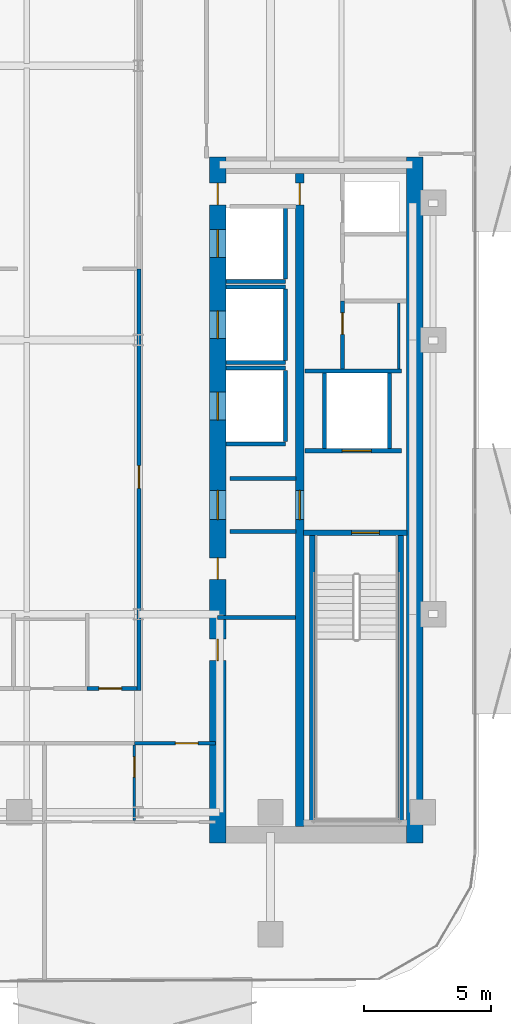
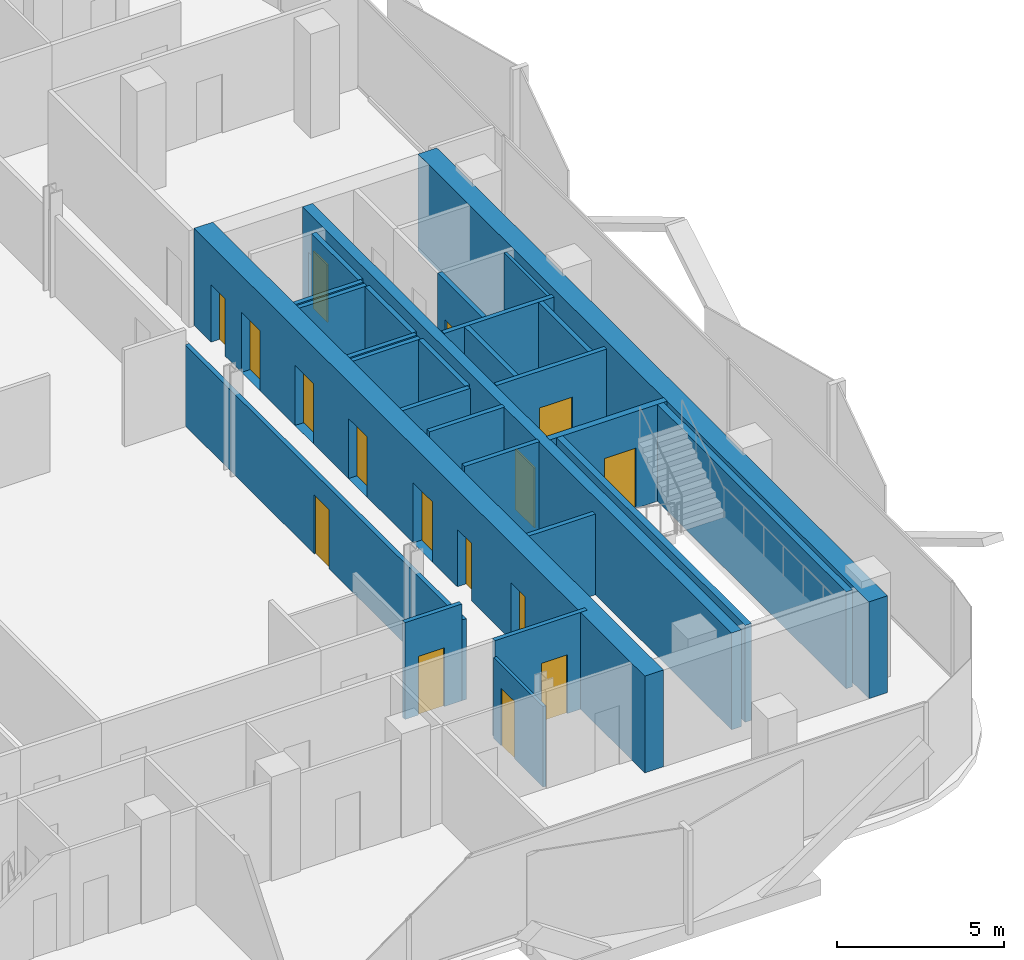
# One storey, part 5 of 17: 27 walls, 16 doors, 16 openings.
"""IFC4 building model written with IfcOpenShell, lengths in metres."""

from ifc_helpers import new_model, si_unit, direction, frame, frame_2d, origin, place, context, subcontext, project, spatial, rectangle, extrude, material, layer, layer_set, type_object, element, fill, save


model = new_model("IFC4")

# Units and contexts
model_context = context("Model", 3, precision=1e-05, world=origin(), true_north=direction((0.0, 1.0)))
body_context = subcontext(model_context, "Body", "Model", "MODEL_VIEW")
ifc_project = project(units=[si_unit("LENGTHUNIT", "METRE"), si_unit("AREAUNIT", "SQUARE_METRE"), si_unit("VOLUMEUNIT", "CUBIC_METRE"), si_unit("PLANEANGLEUNIT", "RADIAN"), si_unit("MASSUNIT", "GRAM", prefix="KILO")], contexts=[model_context])

# Site, building, storey
site_placement = place(None, origin())
site = spatial("IfcSite", under=ifc_project, at=site_placement, CompositionType="ELEMENT")
building_placement = place(site_placement, origin())
building = spatial("IfcBuilding", under=site, at=building_placement, Name="Khairoan Windgate Tower", CompositionType="ELEMENT")
storey_placement = place(building_placement, frame((0.0, 0.0, 191.60009765625)))
storey = spatial("IfcBuildingStorey", under=building, at=storey_placement, Name="L44", CompositionType="ELEMENT", Elevation=191.60009765625)

# Wall, opening, door
ifc_material_1 = material(Name="Moisture-Resistant Gypsum Partition", Category="gypsum")
ifc_layer_1 = layer(ifc_material_1, 0.10009765625, Name="Moisture-Resistant Gypsum Partition")
ifc_layer_set_1 = layer_set([ifc_layer_1], Name="Moisture-Resistant Gypsum Partition")
wall_type_1 = type_object("IfcWallType", Name="Bathroom Wet-Area Partition Wall", PredefinedType="PARTITIONING", material=ifc_layer_set_1)
wall_1_placement = place(storey_placement, frame((9.0400390625, -18.919921875, 0.0), z_axis=(0.0, 0.0, 1.0), x_axis=(0.0, 1.0, 0.0)))
wall_1 = element("IfcWall", 1, at=wall_1_placement, inside=storey, type_object=wall_type_1, Name="L44 Interior Partition 092", PredefinedType="PARTITIONING", context=body_context, shape_type="SweptSolid", body=[
    extrude(rectangle(XDim=2.96484375, YDim=0.10009765625, at=frame_2d((1.482421875, 0.0))), origin(), (0.0, 0.0, 1.0), 2.951904296875),
])
opening_1_placement = place(wall_1_placement, frame((1.705078125, 0.0, 0.0)))
opening_1 = element("IfcOpeningElement", 2, at=opening_1_placement, cuts=wall_1, Name="Opening ID-BTH", PredefinedType="OPENING", context=body_context, shape_type="SweptSolid", body=[
    extrude(rectangle(XDim=0.800048828125, YDim=2.10009765625, at=frame_2d((0.39990234375, 1.050048828125))), frame((0.0, 0.06005859375, 0.0), z_axis=(0.0, -1.0, 0.0), x_axis=(1.0, 0.0, 0.0)), (0.0, 0.0, 1.0), 0.1201171875),
])
ifc_material_2 = material(Name="Teak Veneer Timber Leaf", Category="wood")
door_type_1 = type_object("IfcDoorType", Name="Internal Bathroom Door ID-BTH 800x2100", OperationType="NOTDEFINED", PredefinedType="DOOR", material=ifc_material_2)
door_1_placement = place(opening_1_placement, origin())
door_1 = element("IfcDoor", 3, at=door_1_placement, inside=storey, type_object=door_type_1, Name="L44 L44-63-L44-64 Door", OperationType="SINGLE_SWING_RIGHT", OverallHeight=2.10009765625, OverallWidth=0.800048828125, PredefinedType="DOOR", context=body_context, shape_type="SweptSolid", body=[
    extrude(rectangle(XDim=0.800048828125, YDim=2.10009765625, at=frame_2d((0.39990234375, 1.050048828125))), frame((0.0, 0.02490234375, 0.0), z_axis=(0.0, -1.0, 0.0), x_axis=(1.0, 0.0, 0.0)), (0.0, 0.0, 1.0), 0.050048828125),
])
fill(opening_1, door_1)

# Walls
wall_2_placement = place(storey_placement, frame((19.449951171875, 1.449951171875, 0.0), z_axis=(0.0, 0.0, 1.0), x_axis=(0.0, -1.0, 0.0)))
element("IfcWall", 4, at=wall_2_placement, inside=storey, type_object=wall_type_1, Name="L44 Wet Room Side Wall 096", PredefinedType="PARTITIONING", context=body_context, shape_type="SweptSolid", body=[
    extrude(rectangle(XDim=2.58984375, YDim=0.10009765625, at=frame_2d((1.294921875, 0.0))), origin(), (0.0, 0.0, 1.0), 3.539794921875),
])
ifc_material_3 = material(Name="Concrete C40/50", Category="concrete")
ifc_layer_2 = layer(ifc_material_3, 0.159912109375, Name="Concrete C40/50")
ifc_layer_set_2 = layer_set([ifc_layer_2], Name="Concrete C40/50")
wall_type_2 = type_object("IfcWallType", Name="Core and Hoistway Enclosure Wall", PredefinedType="STANDARD", material=ifc_layer_set_2)
wall_3_placement = place(storey_placement, frame((12.64990234375, 2.31005859375, 0.0), z_axis=(0.0, 0.0, 1.0), x_axis=(1.0, 0.0, 0.0)))
element("IfcWall", 5, at=wall_3_placement, inside=storey, type_object=wall_type_2, Name="L44 Lift PL7 Hoistway Divider S", PredefinedType="STANDARD", context=body_context, shape_type="SweptSolid", body=[
    extrude(rectangle(XDim=2.340087890625, YDim=0.159912109375, at=frame_2d((1.169921875, 0.0))), origin(), (0.0, 0.0, 1.0), 3.539794921875),
])
wall_4_placement = place(storey_placement, frame((14.989990234375, 2.39990234375, 0.0), z_axis=(0.0, 0.0, 1.0), x_axis=(0.0, 1.0, 0.0)))
element("IfcWall", 6, at=wall_4_placement, inside=storey, type_object=wall_type_2, Name="L44 Lift PL7 Hoistway Back Wall", PredefinedType="STANDARD", context=body_context, shape_type="SweptSolid", body=[
    extrude(rectangle(XDim=2.800048828125, YDim=0.159912109375, at=frame_2d((1.39990234375, 0.0))), origin(), (0.0, 0.0, 1.0), 3.539794921875),
])
for number, where, z_axis, x_axis, name in (
    (7, (12.64990234375, -0.889892578125, 0.0), (0.0, 0.0, 1.0), (1.0, 0.0, 0.0), "L44 Lift PL8 Hoistway Divider S"),
    (8, (12.64990234375, 2.090087890625, 0.0), (0.0, 0.0, 1.0), (1.0, 0.0, 0.0), "L44 Lift PL8 Hoistway Divider N"),
):
    element("IfcWall", number, at=place(storey_placement, frame(where, z_axis=z_axis, x_axis=x_axis)), inside=storey, type_object=wall_type_2, Name=name, PredefinedType="STANDARD", context=body_context, shape_type="SweptSolid", body=[
        extrude(rectangle(XDim=2.340087890625, YDim=0.159912109375, at=frame_2d((1.169921875, 0.0))), origin(), (0.0, 0.0, 1.0), 3.539794921875),
    ])
wall_5_placement = place(storey_placement, frame((14.989990234375, -0.800048828125, 0.0), z_axis=(0.0, 0.0, 1.0), x_axis=(0.0, 1.0, 0.0)))
element("IfcWall", 9, at=wall_5_placement, inside=storey, type_object=wall_type_2, Name="L44 Lift PL8 Hoistway Back Wall", PredefinedType="STANDARD", context=body_context, shape_type="SweptSolid", body=[
    extrude(rectangle(XDim=2.800048828125, YDim=0.159912109375, at=frame_2d((1.39990234375, 0.0))), origin(), (0.0, 0.0, 1.0), 3.539794921875),
])
for number, where, z_axis, x_axis, name in (
    (10, (12.64990234375, -4.090087890625, 0.0), (0.0, 0.0, 1.0), (1.0, 0.0, 0.0), "L44 Lift PL9 Hoistway Divider S"),
    (11, (12.64990234375, -1.110107421875, 0.0), (0.0, 0.0, 1.0), (1.0, 0.0, 0.0), "L44 Lift PL9 Hoistway Divider N"),
):
    element("IfcWall", number, at=place(storey_placement, frame(where, z_axis=z_axis, x_axis=x_axis)), inside=storey, type_object=wall_type_2, Name=name, PredefinedType="STANDARD", context=body_context, shape_type="SweptSolid", body=[
        extrude(rectangle(XDim=2.340087890625, YDim=0.159912109375, at=frame_2d((1.169921875, 0.0))), origin(), (0.0, 0.0, 1.0), 3.539794921875),
    ])
wall_6_placement = place(storey_placement, frame((14.989990234375, -4.0, 0.0), z_axis=(0.0, 0.0, 1.0), x_axis=(0.0, 1.0, 0.0)))
element("IfcWall", 12, at=wall_6_placement, inside=storey, type_object=wall_type_2, Name="L44 Lift PL9 Hoistway Back Wall", PredefinedType="STANDARD", context=body_context, shape_type="SweptSolid", body=[
    extrude(rectangle(XDim=2.800048828125, YDim=0.159912109375, at=frame_2d((1.39990234375, 0.0))), origin(), (0.0, 0.0, 1.0), 3.539794921875),
])

# Wall, opening, door
wall_7_placement = place(storey_placement, frame((15.75, -4.360107421875, 0.0), z_axis=(0.0, 0.0, 1.0), x_axis=(1.0, 0.0, 0.0)))
wall_7 = element("IfcWall", 13, at=wall_7_placement, inside=storey, type_object=wall_type_2, Name="L44 Core Shaft Wall SW-FL1-L44", PredefinedType="STANDARD", context=body_context, shape_type="SweptSolid", body=[
    extrude(rectangle(XDim=3.800048828125, YDim=0.159912109375, at=frame_2d((1.89990234375, 0.0))), origin(), (0.0, 0.0, 1.0), 3.539794921875),
])
opening_2_placement = place(wall_7_placement, frame((1.469970703125, 0.0, 0.0)))
opening_2 = element("IfcOpeningElement", 14, at=opening_2_placement, cuts=wall_7, Name="Opening LD-FL", PredefinedType="OPENING", context=body_context, shape_type="SweptSolid", body=[
    extrude(rectangle(XDim=1.14990234375, YDim=2.199951171875, at=frame_2d((0.574951171875, 1.10009765625))), frame((0.0, 0.08984375, 0.0), z_axis=(0.0, -1.0, 0.0), x_axis=(1.0, 0.0, 0.0)), (0.0, 0.0, 1.0), 0.179931640625),
])
ifc_material_4 = material(Name="Steel S355", Category="steel")
door_type_2 = type_object("IfcDoorType", Name="Firefighting Lift Sliding Landing Door LD-FL 1150x2200", OperationType="DOUBLE_DOOR_SLIDING", PredefinedType="DOOR", material=ifc_material_4)
door_2_placement = place(opening_2_placement, origin())
door_2 = element("IfcDoor", 15, at=door_2_placement, inside=storey, type_object=door_type_2, Name="L44 Firefighting Lift FL1 Landing Door", OperationType="DOUBLE_DOOR_SLIDING", OverallHeight=2.199951171875, OverallWidth=1.14990234375, PredefinedType="DOOR", context=body_context, shape_type="SweptSolid", body=[
    extrude(rectangle(XDim=1.14990234375, YDim=2.199951171875, at=frame_2d((0.574951171875, 1.10009765625))), frame((0.0, 0.02490234375, 0.0), z_axis=(0.0, -1.0, 0.0), x_axis=(1.0, 0.0, 0.0)), (0.0, 0.0, 1.0), 0.050048828125),
])
fill(opening_2, door_2)

# Walls
wall_8_placement = place(storey_placement, frame((15.75, -1.219970703125, 0.0), z_axis=(0.0, 0.0, 1.0), x_axis=(1.0, 0.0, 0.0)))
element("IfcWall", 16, at=wall_8_placement, inside=storey, type_object=wall_type_2, Name="L44 Core Shaft Wall SW-FL1T-L44", PredefinedType="STANDARD", context=body_context, shape_type="SweptSolid", body=[
    extrude(rectangle(XDim=3.800048828125, YDim=0.159912109375, at=frame_2d((1.89990234375, 0.0))), origin(), (0.0, 0.0, 1.0), 3.539794921875),
])
for number, where, z_axis, x_axis, name in (
    (17, (16.52001953125, -4.280029296875, 0.0), (0.0, 0.0, 1.0), (0.0, 1.0, 0.0), "L44 Core Shaft Wall SW-FL1W-L44"),
    (18, (19.080078125, -4.280029296875, 0.0), (0.0, 0.0, 1.0), (0.0, 1.0, 0.0), "L44 Core Shaft Wall SW-FL1E-L44"),
):
    element("IfcWall", number, at=place(storey_placement, frame(where, z_axis=z_axis, x_axis=x_axis)), inside=storey, type_object=wall_type_2, Name=name, PredefinedType="STANDARD", context=body_context, shape_type="SweptSolid", body=[
        extrude(rectangle(XDim=2.97998046875, YDim=0.159912109375, at=frame_2d((1.489990234375, 0.0))), origin(), (0.0, 0.0, 1.0), 3.539794921875),
    ])
for number, where, z_axis, x_axis, name in (
    (19, (12.800048828125, -5.449951171875, 0.0), (0.0, 0.0, 1.0), (1.0, 0.0, 0.0), "L44 Core Shaft Wall SW-EV1-L44"),
    (20, (12.800048828125, -7.5400390625, 0.0), (0.0, 0.0, 1.0), (1.0, 0.0, 0.0), "L44 Core Shaft Wall SW-EV2-L44"),
):
    element("IfcWall", number, at=place(storey_placement, frame(where, z_axis=z_axis, x_axis=x_axis)), inside=storey, type_object=wall_type_2, Name=name, PredefinedType="STANDARD", context=body_context, shape_type="SweptSolid", body=[
        extrude(rectangle(XDim=2.599853515625, YDim=0.159912109375, at=frame_2d((1.2998046875, 0.0))), origin(), (0.0, 0.0, 1.0), 3.539794921875),
    ])

# Wall, opening, door
ifc_material_5 = material(Name="Concrete C40/50", Category="concrete")
ifc_layer_3 = layer(ifc_material_5, 0.159912109375, Name="Concrete C40/50")
ifc_layer_set_3 = layer_set([ifc_layer_3], Name="Concrete C40/50")
wall_type_3 = type_object("IfcWallType", Name="Plant and Refuge Compartment Wall", PredefinedType="PARTITIONING", material=ifc_layer_set_3)
wall_9_placement = place(storey_placement, frame((17.22998046875, -1.139892578125, 0.0), z_axis=(0.0, 0.0, 1.0), x_axis=(0.0, 1.0, 0.0)))
wall_9 = element("IfcWall", 21, at=wall_9_placement, inside=storey, type_object=wall_type_3, Name="L44 Interior Partition 006", PredefinedType="PARTITIONING", context=body_context, shape_type="SweptSolid", body=[
    extrude(rectangle(XDim=2.669921875, YDim=0.159912109375, at=frame_2d((1.3349609375, 0.0))), origin(), (0.0, 0.0, 1.0), 3.539794921875),
])
opening_3_placement = place(wall_9_placement, frame((1.360107421875, 0.0, 0.0)))
opening_3 = element("IfcOpeningElement", 22, at=opening_3_placement, cuts=wall_9, Name="Opening FD-SRV", PredefinedType="OPENING", context=body_context, shape_type="SweptSolid", body=[
    extrude(rectangle(XDim=0.85009765625, YDim=2.10009765625, at=frame_2d((0.425048828125, 1.050048828125))), frame((0.0, 0.08984375, 0.0), z_axis=(0.0, -1.0, 0.0), x_axis=(1.0, 0.0, 0.0)), (0.0, 0.0, 1.0), 0.179931640625),
])
ifc_material_6 = material(Name="Steel S355", Category="steel")
door_type_3 = type_object("IfcDoorType", Name="Core Service and Riser Fire Door FD-SRV 850x2100", OperationType="NOTDEFINED", PredefinedType="DOOR", material=ifc_material_6)
door_3_placement = place(opening_3_placement, origin())
door_3 = element("IfcDoor", 23, at=door_3_placement, inside=storey, type_object=door_type_3, Name="L44 L44-17-L44-19 Door", OperationType="SINGLE_SWING_RIGHT", OverallHeight=2.10009765625, OverallWidth=0.85009765625, PredefinedType="DOOR", context=body_context, shape_type="SweptSolid", body=[
    extrude(rectangle(XDim=0.85009765625, YDim=2.10009765625, at=frame_2d((0.425048828125, 1.050048828125))), frame((0.0, 0.02490234375, 0.0), z_axis=(0.0, -1.0, 0.0), x_axis=(1.0, 0.0, 0.0)), (0.0, 0.0, 1.0), 0.050048828125),
])
fill(opening_3, door_3)

# Wall
wall_10_placement = place(storey_placement, frame((12.31005859375, -10.919921875, 0.0), z_axis=(0.0, 0.0, 1.0), x_axis=(1.0, 0.0, 0.0)))
element("IfcWall", 24, at=wall_10_placement, inside=storey, type_object=wall_type_3, Name="L44 Interior Partition 010", PredefinedType="PARTITIONING", context=body_context, shape_type="SweptSolid", body=[
    extrude(rectangle(XDim=3.06494140625, YDim=0.159912109375, at=frame_2d((1.532470703125, 0.0))), origin(), (0.0, 0.0, 1.0), 2.951904296875),
])

# Wall, opening, door
ifc_material_7 = material(Name="Acoustic Fire-Rated Gypsum Partition", Category="gypsum")
ifc_layer_4 = layer(ifc_material_7, 0.14990234375, Name="Acoustic Fire-Rated Gypsum Partition")
ifc_layer_set_4 = layer_set([ifc_layer_4], Name="Acoustic Fire-Rated Gypsum Partition")
wall_type_4 = type_object("IfcWallType", Name="Rated Corridor Partition Wall", PredefinedType="PARTITIONING", material=ifc_layer_set_4)
wall_11_placement = place(storey_placement, frame((9.219970703125, -13.794921875, 0.0), z_axis=(0.0, 0.0, 1.0), x_axis=(0.0, 1.0, 0.0)))
wall_11 = element("IfcWall", 25, at=wall_11_placement, inside=storey, type_object=wall_type_4, Name="L44 Interior Partition 013", PredefinedType="PARTITIONING", context=body_context, shape_type="SweptSolid", body=[
    extrude(rectangle(XDim=16.594970703125, YDim=0.14990234375, at=frame_2d((8.29736328125, 0.0))), origin(), (0.0, 0.0, 1.0), 2.951904296875),
])
opening_4_placement = place(wall_11_placement, frame((7.94873046875, 0.0, 0.0)))
opening_4 = element("IfcOpeningElement", 26, at=opening_4_placement, cuts=wall_11, Name="Opening FD-ENT", PredefinedType="OPENING", context=body_context, shape_type="SweptSolid", body=[
    extrude(rectangle(XDim=0.89990234375, YDim=2.14990234375, at=frame_2d((0.449951171875, 1.074951171875))), frame((0.0, 0.0849609375, 0.0), z_axis=(0.0, -1.0, 0.0), x_axis=(1.0, 0.0, 0.0)), (0.0, 0.0, 1.0), 0.169921875),
])
ifc_material_8 = material(Name="Timber Fire-Rated Core", Category="wood")
door_type_4 = type_object("IfcDoorType", Name="Unit and Office Fire Entrance Door FD-ENT 900x2150", OperationType="NOTDEFINED", PredefinedType="DOOR", material=ifc_material_8)
door_4_placement = place(opening_4_placement, origin())
door_4 = element("IfcDoor", 27, at=door_4_placement, inside=storey, type_object=door_type_4, Name="L44 L44-29-L44-36 Door", OperationType="SINGLE_SWING_RIGHT", OverallHeight=2.14990234375, OverallWidth=0.89990234375, PredefinedType="DOOR", context=body_context, shape_type="SweptSolid", body=[
    extrude(rectangle(XDim=0.89990234375, YDim=2.14990234375, at=frame_2d((0.449951171875, 1.074951171875))), frame((0.0, 0.02490234375, 0.0), z_axis=(0.0, -1.0, 0.0), x_axis=(1.0, 0.0, 0.0)), (0.0, 0.0, 1.0), 0.050048828125),
])
fill(opening_4, door_4)

wall_12_placement = place(storey_placement, frame((7.179931640625, -13.719970703125, 0.0), z_axis=(0.0, 0.0, 1.0), x_axis=(1.0, 0.0, 0.0)))
wall_12 = element("IfcWall", 28, at=wall_12_placement, inside=storey, type_object=wall_type_4, Name="L44 Interior Partition 034", PredefinedType="PARTITIONING", context=body_context, shape_type="SweptSolid", body=[
    extrude(rectangle(XDim=1.965087890625, YDim=0.14990234375, at=frame_2d((0.982421875, 0.0))), origin(), (0.0, 0.0, 1.0), 3.539794921875),
])
opening_5_placement = place(wall_12_placement, frame((0.4599609375, 0.0, 0.0)))
opening_5 = element("IfcOpeningElement", 29, at=opening_5_placement, cuts=wall_12, Name="Opening FD-ENT", PredefinedType="OPENING", context=body_context, shape_type="SweptSolid", body=[
    extrude(rectangle(XDim=0.89990234375, YDim=2.14990234375, at=frame_2d((0.449951171875, 1.074951171875))), frame((0.0, 0.0849609375, 0.0), z_axis=(0.0, -1.0, 0.0), x_axis=(1.0, 0.0, 0.0)), (0.0, 0.0, 1.0), 0.169921875),
])
door_5_placement = place(opening_5_placement, origin())
door_5 = element("IfcDoor", 30, at=door_5_placement, inside=storey, type_object=door_type_4, Name="L44 L44-31-L44-36 Door", OperationType="SINGLE_SWING_RIGHT", OverallHeight=2.14990234375, OverallWidth=0.89990234375, PredefinedType="DOOR", context=body_context, shape_type="SweptSolid", body=[
    extrude(rectangle(XDim=0.89990234375, YDim=2.14990234375, at=frame_2d((0.449951171875, 1.074951171875))), frame((0.0, 0.02490234375, 0.0), z_axis=(0.0, -1.0, 0.0), x_axis=(1.0, 0.0, 0.0)), (0.0, 0.0, 1.0), 0.050048828125),
])
fill(opening_5, door_5)

wall_13_placement = place(storey_placement, frame((9.0400390625, -15.8798828125, 0.0), z_axis=(0.0, 0.0, 1.0), x_axis=(1.0, 0.0, 0.0)))
wall_13 = element("IfcWall", 31, at=wall_13_placement, inside=storey, type_object=wall_type_4, Name="L44 Interior Partition 042", PredefinedType="PARTITIONING", context=body_context, shape_type="SweptSolid", body=[
    extrude(rectangle(XDim=3.199951171875, YDim=0.14990234375, at=frame_2d((1.60009765625, 0.0))), origin(), (0.0, 0.0, 1.0), 3.539794921875),
])
opening_6_placement = place(wall_13_placement, frame((1.610107421875, 0.0, 0.0)))
opening_6 = element("IfcOpeningElement", 32, at=opening_6_placement, cuts=wall_13, Name="Opening FD-ENT", PredefinedType="OPENING", context=body_context, shape_type="SweptSolid", body=[
    extrude(rectangle(XDim=0.89990234375, YDim=2.14990234375, at=frame_2d((0.449951171875, 1.074951171875))), frame((0.0, 0.0849609375, 0.0), z_axis=(0.0, -1.0, 0.0), x_axis=(1.0, 0.0, 0.0)), (0.0, 0.0, 1.0), 0.169921875),
])
door_6_placement = place(opening_6_placement, origin())
door_6 = element("IfcDoor", 33, at=door_6_placement, inside=storey, type_object=door_type_4, Name="L44 L44-31-L44-64 Door", OperationType="SINGLE_SWING_RIGHT", OverallHeight=2.14990234375, OverallWidth=0.89990234375, PredefinedType="DOOR", context=body_context, shape_type="SweptSolid", body=[
    extrude(rectangle(XDim=0.89990234375, YDim=2.14990234375, at=frame_2d((0.449951171875, 1.074951171875))), frame((0.0, 0.02490234375, 0.0), z_axis=(0.0, -1.0, 0.0), x_axis=(1.0, 0.0, 0.0)), (0.0, 0.0, 1.0), 0.050048828125),
])
fill(opening_6, door_6)

# Wall, openings, doors
ifc_material_9 = material(Name="Concrete C60/75", Category="concrete")
ifc_layer_5 = layer(ifc_material_9, 0.64990234375, Name="Concrete C60/75")
ifc_layer_set_5 = layer_set([ifc_layer_5], Name="Concrete C60/75")
wall_type_5 = type_object("IfcWallType", Name="Shear Wall CW-E2 650mm", PredefinedType="SHEAR", material=ifc_layer_set_5)
wall_14_placement = place(storey_placement, frame((12.324951171875, -19.800048828125, 0.0), z_axis=(0.0, 0.0, 1.0), x_axis=(0.0, 1.0, 0.0)))
wall_14 = element("IfcWall", 34, at=wall_14_placement, inside=storey, type_object=wall_type_5, Name="E Core West Shear Wall L44", PredefinedType="SHEAR", context=body_context, shape_type="SweptSolid", body=[
    extrude(rectangle(XDim=27.0, YDim=0.64990234375, at=frame_2d((13.5, 0.0))), origin(), (0.0, 0.0, 1.0), 3.539794921875),
])
opening_7_placement = place(wall_14_placement, frame((23.050048828125, 0.0, 0.0)))
opening_7 = element("IfcOpeningElement", 35, at=opening_7_placement, cuts=wall_14, Name="Opening LD-PL", PredefinedType="OPENING", context=body_context, shape_type="SweptSolid", body=[
    extrude(rectangle(XDim=1.10009765625, YDim=2.199951171875, at=frame_2d((0.550048828125, 1.10009765625))), frame((0.0, 0.3349609375, 0.0), z_axis=(0.0, -1.0, 0.0), x_axis=(1.0, 0.0, 0.0)), (0.0, 0.0, 1.0), 0.669921875),
])
opening_8_placement = place(wall_14_placement, frame((19.85009765625, 0.0, 0.0)))
opening_8 = element("IfcOpeningElement", 36, at=opening_8_placement, cuts=wall_14, Name="Opening LD-PL", PredefinedType="OPENING", context=body_context, shape_type="SweptSolid", body=[
    extrude(rectangle(XDim=1.10009765625, YDim=2.199951171875, at=frame_2d((0.550048828125, 1.10009765625))), frame((0.0, 0.3349609375, 0.0), z_axis=(0.0, -1.0, 0.0), x_axis=(1.0, 0.0, 0.0)), (0.0, 0.0, 1.0), 0.669921875),
])
opening_9_placement = place(wall_14_placement, frame((16.64990234375, 0.0, 0.0)))
opening_9 = element("IfcOpeningElement", 37, at=opening_9_placement, cuts=wall_14, Name="Opening LD-PL", PredefinedType="OPENING", context=body_context, shape_type="SweptSolid", body=[
    extrude(rectangle(XDim=1.10009765625, YDim=2.199951171875, at=frame_2d((0.550048828125, 1.10009765625))), frame((0.0, 0.3349609375, 0.0), z_axis=(0.0, -1.0, 0.0), x_axis=(1.0, 0.0, 0.0)), (0.0, 0.0, 1.0), 0.669921875),
])
opening_10_placement = place(wall_14_placement, frame((7.175048828125, 0.0, 0.0)))
opening_10 = element("IfcOpeningElement", 38, at=opening_10_placement, cuts=wall_14, Name="Opening FD-SRV", PredefinedType="OPENING", context=body_context, shape_type="SweptSolid", body=[
    extrude(rectangle(XDim=0.85009765625, YDim=2.10009765625, at=frame_2d((0.425048828125, 1.050048828125))), frame((0.0, 0.3349609375, 0.0), z_axis=(0.0, -1.0, 0.0), x_axis=(1.0, 0.0, 0.0)), (0.0, 0.0, 1.0), 0.669921875),
])
opening_11_placement = place(wall_14_placement, frame((10.375, 0.0, 0.0)))
opening_11 = element("IfcOpeningElement", 39, at=opening_11_placement, cuts=wall_14, Name="Opening FD-SRV", PredefinedType="OPENING", context=body_context, shape_type="SweptSolid", body=[
    extrude(rectangle(XDim=0.85009765625, YDim=2.10009765625, at=frame_2d((0.425048828125, 1.050048828125))), frame((0.0, 0.3349609375, 0.0), z_axis=(0.0, -1.0, 0.0), x_axis=(1.0, 0.0, 0.0)), (0.0, 0.0, 1.0), 0.669921875),
])
opening_12_placement = place(wall_14_placement, frame((12.72509765625, 0.0, 0.0)))
opening_12 = element("IfcOpeningElement", 40, at=opening_12_placement, cuts=wall_14, Name="Opening FD-FFL", PredefinedType="OPENING", context=body_context, shape_type="SweptSolid", body=[
    extrude(rectangle(XDim=1.14990234375, YDim=2.199951171875, at=frame_2d((0.574951171875, 1.10009765625))), frame((0.0, 0.3349609375, 0.0), z_axis=(0.0, -1.0, 0.0), x_axis=(1.0, 0.0, 0.0)), (0.0, 0.0, 1.0), 0.669921875),
])
opening_13_placement = place(wall_14_placement, frame((25.125, 0.0, 0.0)))
opening_13 = element("IfcOpeningElement", 41, at=opening_13_placement, cuts=wall_14, Name="Opening FD-SRV", PredefinedType="OPENING", context=body_context, shape_type="SweptSolid", body=[
    extrude(rectangle(XDim=0.85009765625, YDim=2.10009765625, at=frame_2d((0.425048828125, 1.050048828125))), frame((0.0, 0.3349609375, 0.0), z_axis=(0.0, -1.0, 0.0), x_axis=(1.0, 0.0, 0.0)), (0.0, 0.0, 1.0), 0.669921875),
])
door_7_placement = place(opening_10_placement, origin())
door_7 = element("IfcDoor", 42, at=door_7_placement, inside=storey, type_object=door_type_3, Name="L44 East Core Service Room Door 1", OperationType="SINGLE_SWING_LEFT", OverallHeight=2.10009765625, OverallWidth=0.85009765625, PredefinedType="DOOR", context=body_context, shape_type="SweptSolid", body=[
    extrude(rectangle(XDim=0.85009765625, YDim=2.10009765625, at=frame_2d((0.425048828125, 1.050048828125))), frame((0.0, 0.02490234375, 0.0), z_axis=(0.0, -1.0, 0.0), x_axis=(1.0, 0.0, 0.0)), (0.0, 0.0, 1.0), 0.050048828125),
])
fill(opening_10, door_7)
door_8_placement = place(opening_11_placement, origin())
door_8 = element("IfcDoor", 43, at=door_8_placement, inside=storey, type_object=door_type_3, Name="L44 East Core Service Room Door 2", OperationType="SINGLE_SWING_RIGHT", OverallHeight=2.10009765625, OverallWidth=0.85009765625, PredefinedType="DOOR", context=body_context, shape_type="SweptSolid", body=[
    extrude(rectangle(XDim=0.85009765625, YDim=2.10009765625, at=frame_2d((0.425048828125, 1.050048828125))), frame((0.0, 0.02490234375, 0.0), z_axis=(0.0, -1.0, 0.0), x_axis=(1.0, 0.0, 0.0)), (0.0, 0.0, 1.0), 0.050048828125),
])
fill(opening_11, door_8)
door_9_placement = place(opening_13_placement, origin())
door_9 = element("IfcDoor", 44, at=door_9_placement, inside=storey, type_object=door_type_3, Name="L44 East Core Service Vestibule Outer Door", OperationType="SINGLE_SWING_LEFT", OverallHeight=2.10009765625, OverallWidth=0.85009765625, PredefinedType="DOOR", context=body_context, shape_type="SweptSolid", body=[
    extrude(rectangle(XDim=0.85009765625, YDim=2.10009765625, at=frame_2d((0.425048828125, 1.050048828125))), frame((0.0, 0.02490234375, 0.0), z_axis=(0.0, -1.0, 0.0), x_axis=(1.0, 0.0, 0.0)), (0.0, 0.0, 1.0), 0.050048828125),
])
fill(opening_13, door_9)
ifc_material_10 = material(Name="Steel S355", Category="steel")
door_type_5 = type_object("IfcDoorType", Name="Firefighting Lobby Fire Door FD-FFL 1150x2200", OperationType="NOTDEFINED", PredefinedType="DOOR", material=ifc_material_10)
door_10_placement = place(opening_12_placement, origin())
door_10 = element("IfcDoor", 45, at=door_10_placement, inside=storey, type_object=door_type_5, Name="L44 East Core Vestibule Entry Door", OperationType="SINGLE_SWING_LEFT", OverallHeight=2.199951171875, OverallWidth=1.14990234375, PredefinedType="DOOR", context=body_context, shape_type="SweptSolid", body=[
    extrude(rectangle(XDim=1.14990234375, YDim=2.199951171875, at=frame_2d((0.574951171875, 1.10009765625))), frame((0.0, 0.02490234375, 0.0), z_axis=(0.0, -1.0, 0.0), x_axis=(1.0, 0.0, 0.0)), (0.0, 0.0, 1.0), 0.050048828125),
])
fill(opening_12, door_10)
ifc_material_11 = material(Name="Anodised Bronze Aluminium 6063-T6", Category="aluminium")
door_type_6 = type_object("IfcDoorType", Name="Passenger Lift Sliding Landing Door LD-PL 1100x2200", OperationType="DOUBLE_DOOR_SLIDING", PredefinedType="DOOR", material=ifc_material_11)
door_11_placement = place(opening_7_placement, origin())
door_11 = element("IfcDoor", 46, at=door_11_placement, inside=storey, type_object=door_type_6, Name="L44 Lift PL7 Sliding Landing Door", OperationType="DOUBLE_DOOR_SLIDING", OverallHeight=2.199951171875, OverallWidth=1.10009765625, PredefinedType="DOOR", context=body_context, shape_type="SweptSolid", body=[
    extrude(rectangle(XDim=1.10009765625, YDim=2.199951171875, at=frame_2d((0.550048828125, 1.10009765625))), frame((0.0, 0.02490234375, 0.0), z_axis=(0.0, -1.0, 0.0), x_axis=(1.0, 0.0, 0.0)), (0.0, 0.0, 1.0), 0.050048828125),
])
fill(opening_7, door_11)
door_12_placement = place(opening_8_placement, origin())
door_12 = element("IfcDoor", 47, at=door_12_placement, inside=storey, type_object=door_type_6, Name="L44 Lift PL8 Sliding Landing Door", OperationType="DOUBLE_DOOR_SLIDING", OverallHeight=2.199951171875, OverallWidth=1.10009765625, PredefinedType="DOOR", context=body_context, shape_type="SweptSolid", body=[
    extrude(rectangle(XDim=1.10009765625, YDim=2.199951171875, at=frame_2d((0.550048828125, 1.10009765625))), frame((0.0, 0.02490234375, 0.0), z_axis=(0.0, -1.0, 0.0), x_axis=(1.0, 0.0, 0.0)), (0.0, 0.0, 1.0), 0.050048828125),
])
fill(opening_8, door_12)
door_13_placement = place(opening_9_placement, origin())
door_13 = element("IfcDoor", 48, at=door_13_placement, inside=storey, type_object=door_type_6, Name="L44 Lift PL9 Sliding Landing Door", OperationType="DOUBLE_DOOR_SLIDING", OverallHeight=2.199951171875, OverallWidth=1.10009765625, PredefinedType="DOOR", context=body_context, shape_type="SweptSolid", body=[
    extrude(rectangle(XDim=1.10009765625, YDim=2.199951171875, at=frame_2d((0.550048828125, 1.10009765625))), frame((0.0, 0.02490234375, 0.0), z_axis=(0.0, -1.0, 0.0), x_axis=(1.0, 0.0, 0.0)), (0.0, 0.0, 1.0), 0.050048828125),
])
fill(opening_9, door_13)

# Wall
wall_15_placement = place(storey_placement, frame((20.074951171875, -19.800048828125, 0.0), z_axis=(0.0, 0.0, 1.0), x_axis=(0.0, 1.0, 0.0)))
element("IfcWall", 49, at=wall_15_placement, inside=storey, type_object=wall_type_5, Name="E Core East Shear Wall L44", PredefinedType="SHEAR", context=body_context, shape_type="SweptSolid", body=[
    extrude(rectangle(XDim=27.0, YDim=0.64990234375, at=frame_2d((13.5, 0.0))), origin(), (0.0, 0.0, 1.0), 3.539794921875),
])

# Wall, openings, doors
ifc_material_12 = material(Name="Concrete C60/75", Category="concrete")
ifc_layer_6 = layer(ifc_material_12, 0.35009765625, Name="Concrete C60/75")
ifc_layer_set_6 = layer_set([ifc_layer_6], Name="Concrete C60/75")
wall_type_6 = type_object("IfcWallType", Name="Shear Wall SW-1 350mm", PredefinedType="SHEAR", material=ifc_layer_set_6)
wall_16_placement = place(storey_placement, frame((15.550048828125, -19.14990234375, 0.0), z_axis=(0.0, 0.0, 1.0), x_axis=(0.0, 1.0, 0.0)))
wall_16 = element("IfcWall", 50, at=wall_16_placement, inside=storey, type_object=wall_type_6, Name="E Core Spine Shear Wall L44", PredefinedType="SHEAR", context=body_context, shape_type="SweptSolid", body=[
    extrude(rectangle(XDim=25.699951171875, YDim=0.35009765625, at=frame_2d((12.85009765625, 0.0))), origin(), (0.0, 0.0, 1.0), 3.539794921875),
])
opening_14_placement = place(wall_16_placement, frame((12.074951171875, 0.0, 0.0)))
opening_14 = element("IfcOpeningElement", 51, at=opening_14_placement, cuts=wall_16, Name="Opening FD-FFL", PredefinedType="OPENING", context=body_context, shape_type="SweptSolid", body=[
    extrude(rectangle(XDim=1.14990234375, YDim=2.199951171875, at=frame_2d((0.574951171875, 1.10009765625))), frame((0.0, 0.18505859375, 0.0), z_axis=(0.0, -1.0, 0.0), x_axis=(1.0, 0.0, 0.0)), (0.0, 0.0, 1.0), 0.3701171875),
])
opening_15_placement = place(wall_16_placement, frame((24.47509765625, 0.0, 0.0)))
opening_15 = element("IfcOpeningElement", 52, at=opening_15_placement, cuts=wall_16, Name="Opening FD-SRV", PredefinedType="OPENING", context=body_context, shape_type="SweptSolid", body=[
    extrude(rectangle(XDim=0.85009765625, YDim=2.10009765625, at=frame_2d((0.425048828125, 1.050048828125))), frame((0.0, 0.18505859375, 0.0), z_axis=(0.0, -1.0, 0.0), x_axis=(1.0, 0.0, 0.0)), (0.0, 0.0, 1.0), 0.3701171875),
])
door_14_placement = place(opening_15_placement, origin())
door_14 = element("IfcDoor", 53, at=door_14_placement, inside=storey, type_object=door_type_3, Name="L44 East Core Service Passage Inner Door", OperationType="SINGLE_SWING_RIGHT", OverallHeight=2.10009765625, OverallWidth=0.85009765625, PredefinedType="DOOR", context=body_context, shape_type="SweptSolid", body=[
    extrude(rectangle(XDim=0.85009765625, YDim=2.10009765625, at=frame_2d((0.425048828125, 1.050048828125))), frame((0.0, 0.02490234375, 0.0), z_axis=(0.0, -1.0, 0.0), x_axis=(1.0, 0.0, 0.0)), (0.0, 0.0, 1.0), 0.050048828125),
])
fill(opening_15, door_14)
door_15_placement = place(opening_14_placement, origin())
door_15 = element("IfcDoor", 54, at=door_15_placement, inside=storey, type_object=door_type_5, Name="L44 East Firefighting Lobby Fire Door", OperationType="SINGLE_SWING_RIGHT", OverallHeight=2.199951171875, OverallWidth=1.14990234375, PredefinedType="DOOR", context=body_context, shape_type="SweptSolid", body=[
    extrude(rectangle(XDim=1.14990234375, YDim=2.199951171875, at=frame_2d((0.574951171875, 1.10009765625))), frame((0.0, 0.02490234375, 0.0), z_axis=(0.0, -1.0, 0.0), x_axis=(1.0, 0.0, 0.0)), (0.0, 0.0, 1.0), 0.050048828125),
])
fill(opening_14, door_15)

# Walls
ifc_material_13 = material(Name="Concrete C50/60", Category="concrete")
ifc_layer_7 = layer(ifc_material_13, 0.219970703125, Name="Concrete C50/60")
ifc_layer_set_7 = layer_set([ifc_layer_7], Name="Concrete C50/60")
wall_type_7 = type_object("IfcWallType", Name="Shear Wall SW-ST 220mm", PredefinedType="SHEAR", material=ifc_layer_set_7)
for number, where, z_axis, x_axis, name in (
    (55, (16.0400390625, -19.010009765625, 0.0), (0.0, 0.0, 1.0), (0.0, 1.0, 0.0), "L44 Stair ST1 West Bearing Wall"),
    (56, (19.530029296875, -19.010009765625, 0.0), (0.0, 0.0, 1.0), (0.0, 1.0, 0.0), "L44 Stair ST1 East Bearing Wall"),
):
    element("IfcWall", number, at=place(storey_placement, frame(where, z_axis=z_axis, x_axis=x_axis)), inside=storey, type_object=wall_type_7, Name=name, PredefinedType="SHEAR", context=body_context, shape_type="SweptSolid", body=[
        extrude(rectangle(XDim=11.419921875, YDim=0.219970703125, at=frame_2d((5.7099609375, 0.0))), origin(), (0.0, 0.0, 1.0), 3.539794921875),
    ])

# Wall, opening, door
wall_17_placement = place(storey_placement, frame((19.77001953125, -7.590087890625, 0.0), z_axis=(0.0, 0.0, 1.0), x_axis=(-1.0, 0.0, 0.0)))
wall_17 = element("IfcWall", 57, at=wall_17_placement, inside=storey, type_object=wall_type_7, Name="L44 Stair ST1 North Bearing Wall", PredefinedType="SHEAR", context=body_context, shape_type="SweptSolid", body=[
    extrude(rectangle(XDim=4.06494140625, YDim=0.219970703125, at=frame_2d((2.032470703125, 0.0))), origin(), (0.0, 0.0, 1.0), 3.539794921875),
])
opening_16_placement = place(wall_17_placement, frame((1.080078125, 0.0, 0.0)))
opening_16 = element("IfcOpeningElement", 58, at=opening_16_placement, cuts=wall_17, Name="Opening FD-ST", PredefinedType="OPENING", context=body_context, shape_type="SweptSolid", body=[
    extrude(rectangle(XDim=1.10009765625, YDim=2.199951171875, at=frame_2d((0.550048828125, 1.10009765625))), frame((0.0, 0.119873046875, 0.0), z_axis=(0.0, -1.0, 0.0), x_axis=(1.0, 0.0, 0.0)), (0.0, 0.0, 1.0), 0.239990234375),
])
ifc_material_14 = material(Name="Steel S355", Category="steel")
door_type_7 = type_object("IfcDoorType", Name="Smokeproof Stair Fire Door FD-ST 1100x2200", OperationType="NOTDEFINED", PredefinedType="DOOR", material=ifc_material_14)
door_16_placement = place(opening_16_placement, origin())
door_16 = element("IfcDoor", 59, at=door_16_placement, inside=storey, type_object=door_type_7, Name="L44 Stair ST1 Fire Door", OperationType="SINGLE_SWING_LEFT", OverallHeight=2.199951171875, OverallWidth=1.10009765625, PredefinedType="DOOR", context=body_context, shape_type="SweptSolid", body=[
    extrude(rectangle(XDim=1.10009765625, YDim=2.199951171875, at=frame_2d((0.550048828125, 1.10009765625))), frame((0.0, 0.02490234375, 0.0), z_axis=(0.0, -1.0, 0.0), x_axis=(1.0, 0.0, 0.0)), (0.0, 0.0, 1.0), 0.050048828125),
])
fill(opening_16, door_16)

save(model, "model.ifc")
